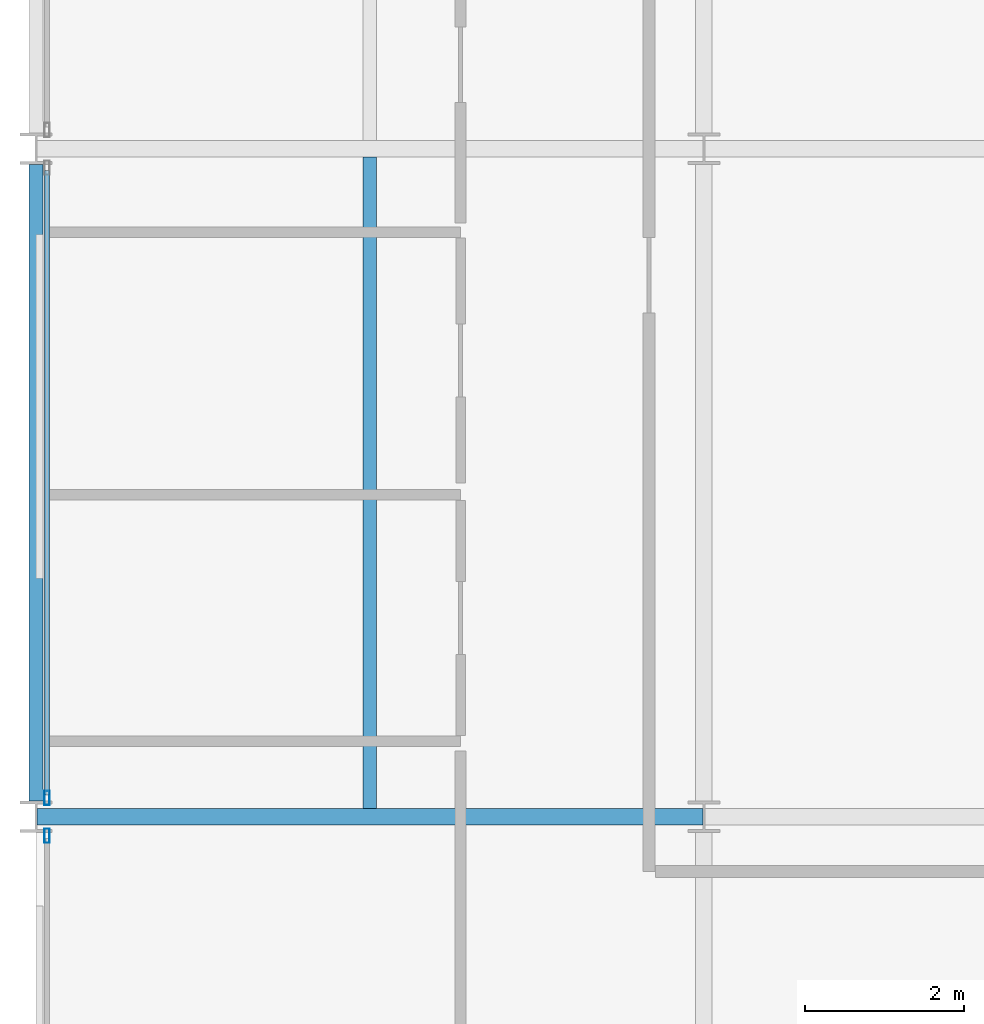
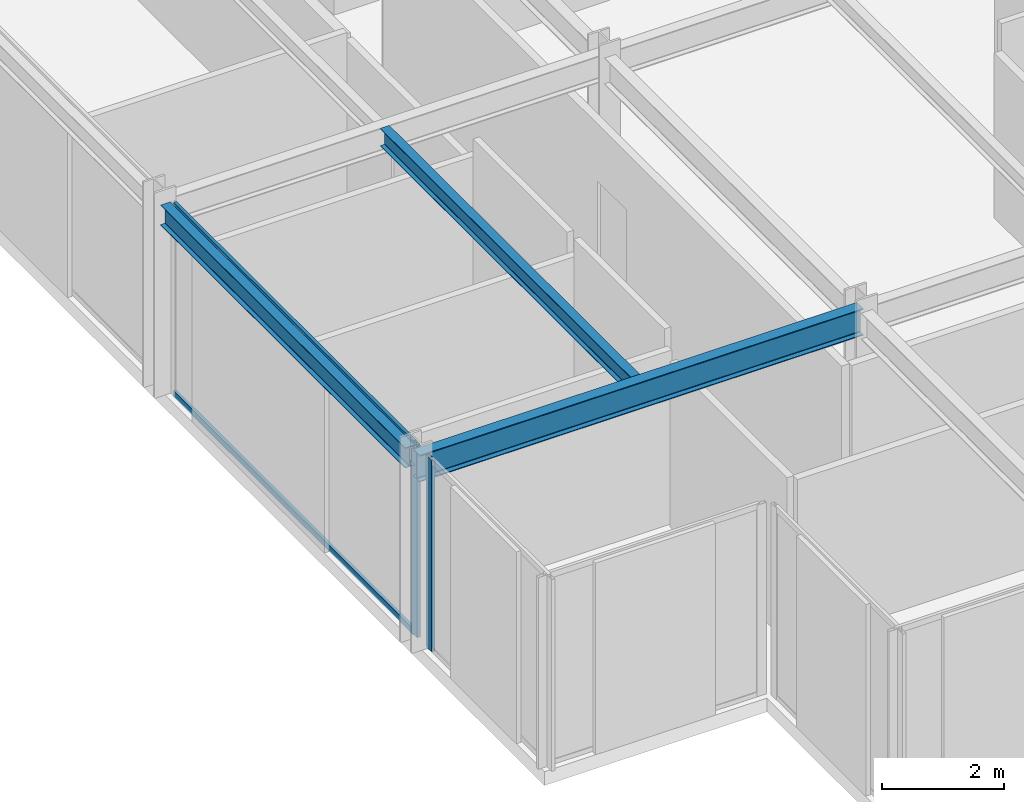
# One storey, part 4 of 29: 4 members, 3 beams, 2 elements without a shape of their own.
"""IFC4 building model written with IfcOpenShell, lengths in metres."""

from ifc_helpers import new_model, si_unit, direction, frame, origin, origin_2d, place, context, subcontext, project, spatial, hollow_rectangle, i_section, extrude, material, layer, layer_set, material_profile, profile_set, type_object, element, aggregate, save


model = new_model("IFC4")

# Units and contexts
model_context = context("Model", 3, precision=1e-05, world=origin(), true_north=direction((0.0, 1.0)))
body_context = subcontext(model_context, "Body", "Model", "MODEL_VIEW")
ifc_project = project(units=[si_unit("LENGTHUNIT", "METRE"), si_unit("AREAUNIT", "SQUARE_METRE"), si_unit("VOLUMEUNIT", "CUBIC_METRE"), si_unit("PLANEANGLEUNIT", "RADIAN"), si_unit("MASSUNIT", "GRAM", prefix="KILO")], contexts=[model_context])

# Site, building, storey
site_placement = place(None, origin())
site = spatial("IfcSite", under=ifc_project, at=site_placement, CompositionType="ELEMENT")
building_placement = place(site_placement, origin())
building = spatial("IfcBuilding", under=site, at=building_placement, Name="Nerrivon Quay Data Exchange", CompositionType="ELEMENT")
storey_placement = place(building_placement, frame((0.0, 0.0, 145.89990234375)))
storey = spatial("IfcBuildingStorey", under=building, at=storey_placement, Name="L34", CompositionType="ELEMENT", Elevation=145.89990234375)

# Beams
ifc_material_1 = material(Name="Steel Grade 350", Category="steel")
ifc_material_profile_1 = material_profile(ifc_material_1, i_section(OverallWidth=0.208984375, OverallDepth=0.532958984375, WebThickness=0.01025390625, FlangeThickness=0.015625, FilletRadius=0.013916015625, at=origin_2d()), Name="530UB92.4")
ifc_profile_set_1 = profile_set([ifc_material_profile_1], Name="Steel Grade 350")
beam_type_1 = type_object("IfcBeamType", Name="BM-G3-530UB92", PredefinedType="BEAM", material=ifc_profile_set_1)
beam_1_placement = place(storey_placement, frame((0.012451171875, 8.39990234375, 3.55859375), z_axis=(1.0, 0.0, 0.0), x_axis=(0.0, 1.0, 0.0)))
element("IfcBeam", 1, at=beam_1_placement, inside=storey, type_object=beam_type_1, Name="L34 EW Girder Y=8.4 (0.0..8.4)", PredefinedType="BEAM", context=body_context, shape_type="SweptSolid", body=[
    extrude(i_section(OverallWidth=0.208984375, OverallDepth=0.532958984375, WebThickness=0.01025390625, FlangeThickness=0.015625, FilletRadius=0.013916015625, at=origin_2d()), origin(), (0.0, 0.0, 1.0), 8.375),
])
ifc_material_profile_2 = material_profile(ifc_material_1, i_section(OverallWidth=0.1708984375, OverallDepth=0.35595703125, WebThickness=0.00732421875, FlangeThickness=0.011474609375, FilletRadius=0.011474609375, at=origin_2d()), Name="360UB50.7")
ifc_profile_set_2 = profile_set([ifc_material_profile_2], Name="Steel Grade 350")
beam_type_2 = type_object("IfcBeamType", Name="BM-J4-360UB51", PredefinedType="JOIST", material=ifc_profile_set_2)
beam_2_placement = place(storey_placement, frame((4.199951171875, 8.50439453125, 3.647216796875), z_axis=(0.0, 1.0, 0.0), x_axis=(-1.0, 0.0, 0.0)))
element("IfcBeam", 2, at=beam_2_placement, inside=storey, type_object=beam_type_2, Name="L34 Secondary Joist X=4.2 (8.4..16.8)", PredefinedType="JOIST", context=body_context, shape_type="SweptSolid", body=[
    extrude(i_section(OverallWidth=0.1708984375, OverallDepth=0.35595703125, WebThickness=0.00732421875, FlangeThickness=0.011474609375, FilletRadius=0.011474609375, at=origin_2d()), origin(), (0.0, 0.0, 1.0), 8.191162109375),
])
ifc_material_profile_3 = material_profile(ifc_material_1, i_section(OverallWidth=0.177978515625, OverallDepth=0.403076171875, WebThickness=0.007568359375, FlangeThickness=0.010986328125, FilletRadius=0.011474609375, at=origin_2d()), Name="410UB53.7")
ifc_profile_set_3 = profile_set([ifc_material_profile_3], Name="Steel Grade 350")
beam_type_3 = type_object("IfcBeamType", Name="BM-SP2-410UB54", PredefinedType="SPANDREL", material=ifc_profile_set_3)
beam_3_placement = place(storey_placement, frame((0.0, 8.60009765625, 3.62353515625), z_axis=(0.0, 1.0, 0.0), x_axis=(-1.0, 0.0, 0.0)))
element("IfcBeam", 3, at=beam_3_placement, inside=storey, type_object=beam_type_3, Name="L34 NS Girder X=0.0 (8.4..16.8)", PredefinedType="SPANDREL", context=body_context, shape_type="SweptSolid", body=[
    extrude(i_section(OverallWidth=0.177978515625, OverallDepth=0.403076171875, WebThickness=0.007568359375, FlangeThickness=0.010986328125, FilletRadius=0.011474609375, at=origin_2d()), origin(), (0.0, 0.0, 1.0), 8.0),
])

# Curtain wall, member
ifc_material_2 = material(Name="Anodised aluminium 6063-T6", Category="aluminium")
ifc_layer = layer(ifc_material_2, 0.2099609375)
ifc_layer_set = layer_set([ifc_layer], Name="Anodised aluminium 6063-T6")
curtain_wall_type = type_object("IfcCurtainWallType", Name="CW-SYS-02", PredefinedType="NOTDEFINED", material=ifc_layer_set)
curtain_wall_1_placement = place(storey_placement, origin())
curtain_wall_1 = element("IfcCurtainWall", 4, at=curtain_wall_1_placement, inside=storey, type_object=curtain_wall_type, Name="L34 Unitised Curtain Wall 11", PredefinedType="NOTDEFINED")
ifc_material_profile_4 = material_profile(ifc_material_2, hollow_rectangle(XDim=0.06494140625, YDim=0.179931640625, WallThickness=0.00341796875, at=origin_2d()), Name="ALU-MULL-180x65")
ifc_profile_set_4 = profile_set([ifc_material_profile_4], Name="Anodised aluminium 6063-T6")
member_type_1 = type_object("IfcMemberType", Name="CWM-180x65", PredefinedType="MULLION", material=ifc_profile_set_4)
member_1_placement = place(storey_placement, frame((0.139892578125, 8.16259765625, 0.0), z_axis=(0.0, 0.0, 1.0), x_axis=(-1.0, 0.0, 0.0)))
member_1 = element("IfcMember", 5, at=member_1_placement, type_object=member_type_1, Name="CW02 mullion 2", PredefinedType="MULLION", context=body_context, shape_type="SweptSolid", body=[
    extrude(hollow_rectangle(XDim=0.06494140625, YDim=0.179931640625, WallThickness=0.00341796875, at=origin_2d()), origin(), (0.0, 0.0, 1.0), 3.8251953125),
])
aggregate(curtain_wall_1, [member_1])

# Curtain wall, members
curtain_wall_2_placement = place(storey_placement, origin())
curtain_wall_2 = element("IfcCurtainWall", 6, at=curtain_wall_2_placement, inside=storey, type_object=curtain_wall_type, Name="L34 Unitised Curtain Wall 12", PredefinedType="NOTDEFINED")
member_2_placement = place(storey_placement, frame((0.139892578125, 8.637451171875, 0.0), z_axis=(0.0, 0.0, 1.0), x_axis=(-1.0, 0.0, 0.0)))
member_2 = element("IfcMember", 7, at=member_2_placement, type_object=member_type_1, Name="CW02 mullion 1", PredefinedType="MULLION", context=body_context, shape_type="SweptSolid", body=[
    extrude(hollow_rectangle(XDim=0.06494140625, YDim=0.179931640625, WallThickness=0.00341796875, at=origin_2d()), origin(), (0.0, 0.0, 1.0), 3.8251953125),
])
ifc_material_profile_5 = material_profile(ifc_material_2, hollow_rectangle(XDim=0.06005859375, YDim=0.1201171875, WallThickness=0.003173828125, at=origin_2d()), Name="ALU-TRAN-120x60")
ifc_profile_set_5 = profile_set([ifc_material_profile_5], Name="Anodised aluminium 6063-T6")
member_type_2 = type_object("IfcMemberType", Name="CWT-120x60", PredefinedType="USERDEFINED", material=ifc_profile_set_5)
member_3_placement = place(storey_placement, frame((0.139892578125, 8.675048828125, 0.03271484375), z_axis=(0.0, 1.0, 0.0), x_axis=(-1.0, 0.0, 0.0)))
member_3 = element("IfcMember", 8, at=member_3_placement, type_object=member_type_2, Name="CW02 transom 1.1", ObjectType="TRANSOM", PredefinedType="USERDEFINED", context=body_context, shape_type="SweptSolid", body=[
    extrude(hollow_rectangle(XDim=0.06005859375, YDim=0.1201171875, WallThickness=0.003173828125, at=origin_2d()), origin(), (0.0, 0.0, 1.0), 7.849853515625),
])
member_4_placement = place(storey_placement, frame((0.139892578125, 8.675048828125, 3.79248046875), z_axis=(0.0, 1.0, 0.0), x_axis=(-1.0, 0.0, 0.0)))
member_4 = element("IfcMember", 9, at=member_4_placement, type_object=member_type_2, Name="CW02 transom 1.2", ObjectType="TRANSOM", PredefinedType="USERDEFINED", context=body_context, shape_type="SweptSolid", body=[
    extrude(hollow_rectangle(XDim=0.06005859375, YDim=0.1201171875, WallThickness=0.003173828125, at=origin_2d()), origin(), (0.0, 0.0, 1.0), 7.849853515625),
])
aggregate(curtain_wall_2, [member_2, member_3, member_4])

save(model, "model.ifc")
